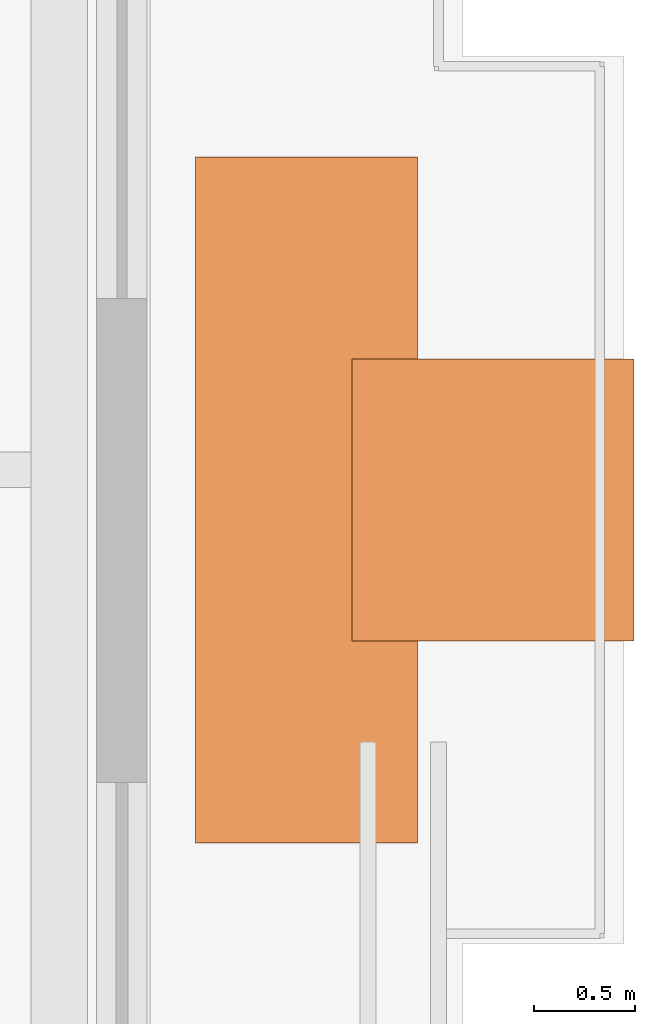
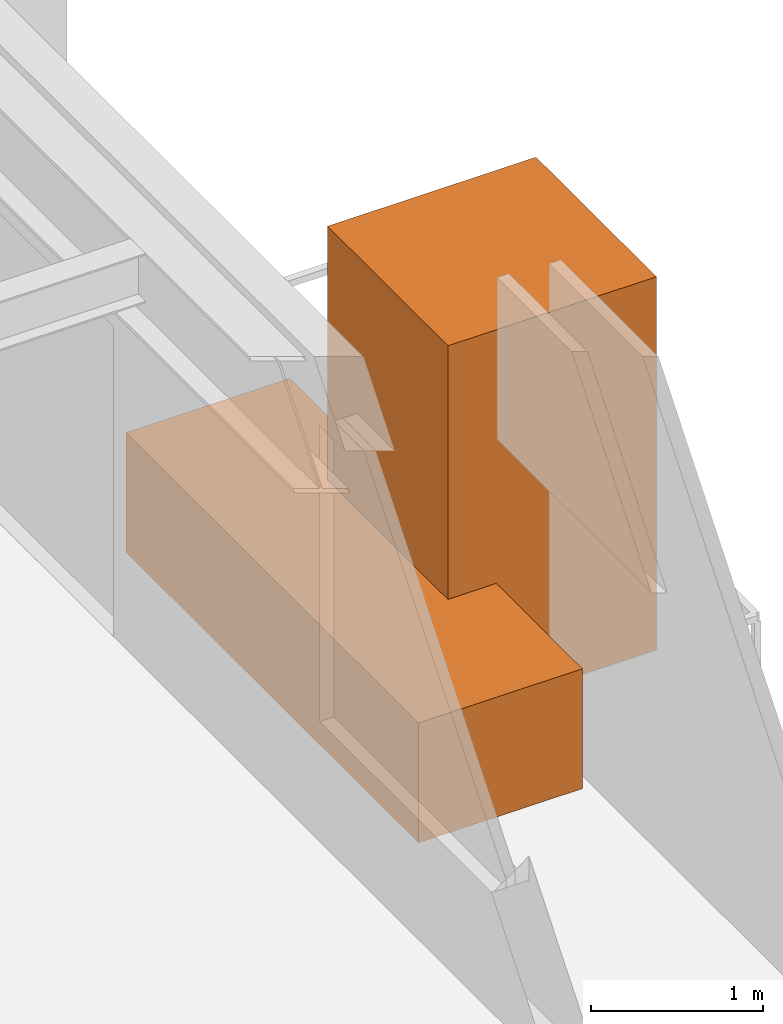
# One storey, part 30 of 30: 2 proxies.
"""IFC4 building model written with IfcOpenShell, lengths in metres."""

from ifc_helpers import new_model, si_unit, direction, frame, origin, origin_2d, place, context, subcontext, project, spatial, rectangle, extrude, material, type_object, element, save


model = new_model("IFC4")

# Units and contexts
model_context = context("Model", 3, precision=1e-05, world=origin(), true_north=direction((0.0, 1.0)))
body_context = subcontext(model_context, "Body", "Model", "MODEL_VIEW")
ifc_project = project(units=[si_unit("LENGTHUNIT", "METRE"), si_unit("AREAUNIT", "SQUARE_METRE"), si_unit("VOLUMEUNIT", "CUBIC_METRE"), si_unit("PLANEANGLEUNIT", "RADIAN"), si_unit("MASSUNIT", "GRAM", prefix="KILO")], contexts=[model_context])

# Site, building, storey
site_placement = place(None, origin())
site = spatial("IfcSite", under=ifc_project, at=site_placement, CompositionType="ELEMENT")
building_placement = place(site_placement, origin())
building = spatial("IfcBuilding", under=site, at=building_placement, Name="Brelmoor Portico Tower", CompositionType="ELEMENT")
storey_placement = place(building_placement, frame((0.0, 0.0, 198.300048828125)))
storey = spatial("IfcBuildingStorey", under=building, at=storey_placement, Name="L52", CompositionType="ELEMENT", Elevation=198.300048828125)

# Proxies
ifc_material_1 = material(Name="Planted Canopy Tree and Soil Rootball", Category="other")
building_element_proxy_type_1 = type_object("IfcBuildingElementProxyType", Name="BALCONY TREE ARBOR", PredefinedType="USERDEFINED", material=ifc_material_1)
proxy_1_placement = place(storey_placement, frame((22.699951171875, -3.39990234375, 0.0), z_axis=(0.0, 0.0, 1.0), x_axis=(1.0, 0.0, 0.0)))
element("IfcBuildingElementProxy", 1, at=proxy_1_placement, inside=storey, type_object=building_element_proxy_type_1, Name="L52 Balcony PLANTER Tree Canopy Arbor E", ObjectType="PLANTER", PredefinedType="USERDEFINED", context=body_context, shape_type="SweptSolid", body=[
    extrude(rectangle(XDim=1.39990234375, YDim=1.39990234375, at=origin_2d()), origin(), (0.0, 0.0, 1.0), 2.64990234375),
])
ifc_material_2 = material(Name="Architectural Precast Concrete C40", Category="concrete")
building_element_proxy_type_2 = type_object("IfcBuildingElementProxyType", Name="TREE PLANTER", PredefinedType="USERDEFINED", material=ifc_material_2)
proxy_2_placement = place(storey_placement, frame((21.77490234375, -3.39990234375, 0.0), z_axis=(0.0, 0.0, 1.0), x_axis=(0.0, 1.0, 0.0)))
element("IfcBuildingElementProxy", 2, at=proxy_2_placement, inside=storey, type_object=building_element_proxy_type_2, Name="L52 Planted Tree Planter E", ObjectType="PLANTER", PredefinedType="USERDEFINED", context=body_context, shape_type="SweptSolid", body=[
    extrude(rectangle(XDim=3.39990234375, YDim=1.10009765625, at=origin_2d()), origin(), (0.0, 0.0, 1.0), 0.85009765625),
])

save(model, "model.ifc")
